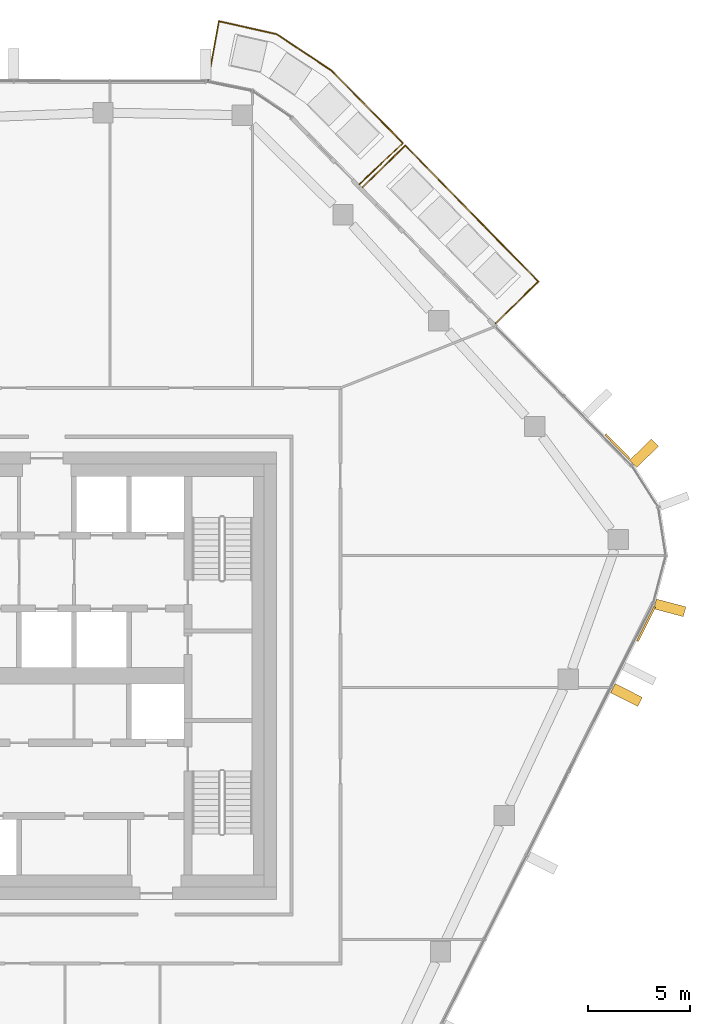
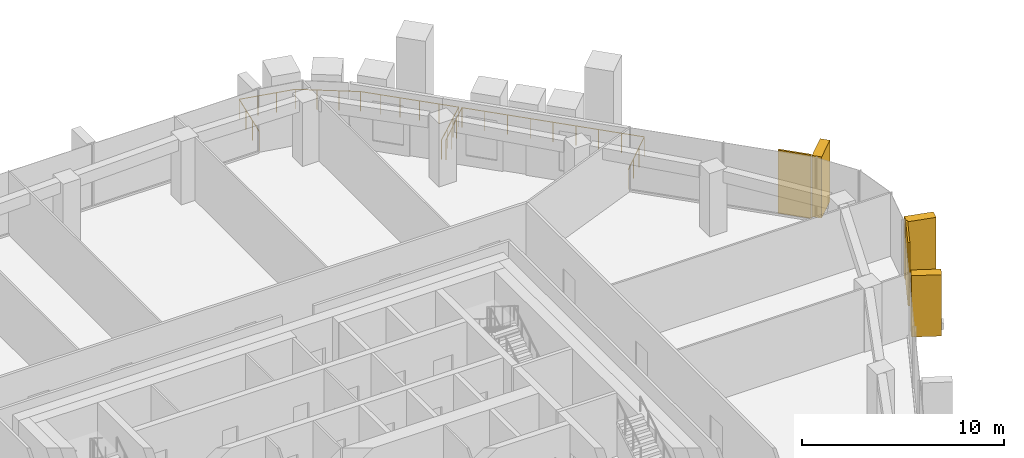
# One storey, part 23 of 23: 5 coverings, 2 railings, 3 elements without a shape of their own.
"""IFC4 building model written with IfcOpenShell, lengths in metres."""

from ifc_helpers import new_model, si_unit, direction, frame, origin, origin_2d, place, context, subcontext, project, spatial, rectangle, circle, extrude, material, layer, layer_set, material_profile, profile_set, type_object, element, aggregate, save


model = new_model("IFC4")

# Units and contexts
model_context = context("Model", 3, precision=1e-05, world=origin(), true_north=direction((0.0, 1.0)))
body_context = subcontext(model_context, "Body", "Model", "MODEL_VIEW")
ifc_project = project(units=[si_unit("LENGTHUNIT", "METRE"), si_unit("AREAUNIT", "SQUARE_METRE"), si_unit("VOLUMEUNIT", "CUBIC_METRE"), si_unit("PLANEANGLEUNIT", "RADIAN"), si_unit("MASSUNIT", "GRAM", prefix="KILO")], contexts=[model_context])

# Site, building, storey
site_placement = place(None, origin())
site = spatial("IfcSite", under=ifc_project, at=site_placement, CompositionType="ELEMENT")
building_placement = place(site_placement, origin())
building = spatial("IfcBuilding", under=site, at=building_placement, Name="Dongbaek Canopy Tower", CompositionType="ELEMENT")
storey_placement = place(building_placement, frame((0.0, 0.0, 315.199951171875)))
storey = spatial("IfcBuildingStorey", under=building, at=storey_placement, Name="L67", CompositionType="ELEMENT", Elevation=315.199951171875)

# Railings
ifc_material_1 = material(Name="Stainless steel", Category="steel")
railing_type = type_object("IfcRailingType", Name="Balcony balustrade 1200", PredefinedType="BALUSTRADE", material=ifc_material_1)
railing_1_placement = place(storey_placement, frame((24.77685546875, 17.32568359375, 0.0)))
element("IfcRailing", 1, at=railing_1_placement, inside=storey, type_object=railing_type, Name="Balcony guard L67 1", PredefinedType="BALUSTRADE", context=body_context, shape_type="SweptSolid", body=[
    extrude(circle(Radius=0.02392578125, at=origin_2d()), frame((0.0, 0.0, 1.17578125), z_axis=(0.714746485487, 0.699383629694, 0.0), x_axis=(-0.699383629694, 0.714746485487, 0.0)), (0.0, 0.0, 1.0), 2.93994140625),
    extrude(circle(Radius=0.02392578125, at=origin_2d()), frame((2.101318359375, 2.05615234375, 1.17578125), z_axis=(-0.699339380797, 0.714789780611, 0.0), x_axis=(-0.714789780611, -0.699339380797, 0.0)), (0.0, 0.0, 1.0), 9.3544921875),
    extrude(circle(Radius=0.02392578125, at=origin_2d()), frame((-4.440673828125, 8.74267578125, 1.17578125), z_axis=(-0.714787101051, -0.699342119546, 0.0), x_axis=(0.699342119546, -0.714787101051, 0.0)), (0.0, 0.0, 1.0), 2.940185546875),
    extrude(circle(Radius=0.02099609375, at=origin_2d()), origin(), (0.0, 0.0, 1.0), 1.15185546875),
    extrude(circle(Radius=0.02099609375, at=origin_2d()), frame((0.700439453125, 0.685302734375, 0.0)), (0.0, 0.0, 1.0), 1.15185546875),
    extrude(circle(Radius=0.02099609375, at=origin_2d()), frame((1.40087890625, 1.370849609375, 0.0)), (0.0, 0.0, 1.0), 1.15185546875),
    extrude(circle(Radius=0.02099609375, at=origin_2d()), frame((2.101318359375, 2.05615234375, 0.0)), (0.0, 0.0, 1.0), 1.15185546875),
    extrude(circle(Radius=0.02099609375, at=origin_2d()), frame((1.28369140625, 2.89208984375, 0.0)), (0.0, 0.0, 1.0), 1.15185546875),
    extrude(circle(Radius=0.02099609375, at=origin_2d()), frame((0.4658203125, 3.727783203125, 0.0)), (0.0, 0.0, 1.0), 1.15185546875),
    extrude(circle(Radius=0.02099609375, at=origin_2d()), frame((-0.35205078125, 4.5634765625, 0.0)), (0.0, 0.0, 1.0), 1.15185546875),
    extrude(circle(Radius=0.02099609375, at=origin_2d()), frame((-1.169677734375, 5.3994140625, 0.0)), (0.0, 0.0, 1.0), 1.15185546875),
    extrude(circle(Radius=0.02099609375, at=origin_2d()), frame((-1.9873046875, 6.2353515625, 0.0)), (0.0, 0.0, 1.0), 1.15185546875),
    extrude(circle(Radius=0.02099609375, at=origin_2d()), frame((-2.80517578125, 7.071044921875, 0.0)), (0.0, 0.0, 1.0), 1.15185546875),
    extrude(circle(Radius=0.02099609375, at=origin_2d()), frame((-3.623046875, 7.90673828125, 0.0)), (0.0, 0.0, 1.0), 1.15185546875),
    extrude(circle(Radius=0.02099609375, at=origin_2d()), frame((-4.440673828125, 8.74267578125, 0.0)), (0.0, 0.0, 1.0), 1.15185546875),
    extrude(circle(Radius=0.02099609375, at=origin_2d()), frame((-5.14111328125, 8.057373046875, 0.0)), (0.0, 0.0, 1.0), 1.15185546875),
    extrude(circle(Radius=0.02099609375, at=origin_2d()), frame((-5.841796875, 7.371826171875, 0.0)), (0.0, 0.0, 1.0), 1.15185546875),
    extrude(circle(Radius=0.02099609375, at=origin_2d()), frame((-6.542236328125, 6.6865234375, 0.0)), (0.0, 0.0, 1.0), 1.15185546875),
])
railing_2_placement = place(storey_placement, frame((18.080810546875, 24.16943359375, 0.0)))
element("IfcRailing", 2, at=railing_2_placement, inside=storey, type_object=railing_type, Name="Balcony guard L67 5", PredefinedType="BALUSTRADE", context=body_context, shape_type="SweptSolid", body=[
    extrude(circle(Radius=0.02392578125, at=origin_2d()), frame((0.0, 0.0, 1.17578125), z_axis=(0.728886991978, 0.68463402846, 0.0), x_axis=(-0.68463402846, 0.728886991978, 0.0)), (0.0, 0.0, 1.0), 2.9404296875),
    extrude(circle(Radius=0.02392578125, at=origin_2d()), frame((2.143310546875, 2.01318359375, 1.17578125), z_axis=(-0.701403600753, 0.71276432911, 0.0), x_axis=(-0.71276432911, -0.701403600753, 0.0)), (0.0, 0.0, 1.0), 5.028564453125),
    extrude(circle(Radius=0.02392578125, at=origin_2d()), frame((-1.3837890625, 5.597412109375, 1.17578125), z_axis=(-0.834016900205, 0.551738896737, 0.0), x_axis=(-0.551738896737, -0.834016900205, 0.0)), (0.0, 0.0, 1.0), 3.23828125),
    extrude(circle(Radius=0.02392578125, at=origin_2d()), frame((-4.08447265625, 7.384033203125, 1.17578125), z_axis=(-0.975762905235, 0.218830420112, 0.0), x_axis=(-0.218830420112, -0.975762905235, 0.0)), (0.0, 0.0, 1.0), 2.8974609375),
    extrude(circle(Radius=0.02392578125, at=origin_2d()), frame((-6.91162109375, 8.01806640625, 1.17578125), z_axis=(-0.179338414791, -0.983787442988, 0.0), x_axis=(0.983787442988, -0.179338414791, 0.0)), (0.0, 0.0, 1.0), 2.9404296875),
    extrude(circle(Radius=0.02099609375, at=origin_2d()), origin(), (0.0, 0.0, 1.0), 1.15185546875),
    extrude(circle(Radius=0.02099609375, at=origin_2d()), frame((0.71435546875, 0.671142578125, 0.0)), (0.0, 0.0, 1.0), 1.15185546875),
    extrude(circle(Radius=0.02099609375, at=origin_2d()), frame((1.428955078125, 1.342041015625, 0.0)), (0.0, 0.0, 1.0), 1.15185546875),
    extrude(circle(Radius=0.02099609375, at=origin_2d()), frame((2.143310546875, 2.01318359375, 0.0)), (0.0, 0.0, 1.0), 1.15185546875),
    extrude(circle(Radius=0.02099609375, at=origin_2d()), frame((1.43798828125, 2.72998046875, 0.0)), (0.0, 0.0, 1.0), 1.15185546875),
    extrude(circle(Radius=0.02099609375, at=origin_2d()), frame((0.732421875, 3.44677734375, 0.0)), (0.0, 0.0, 1.0), 1.15185546875),
    extrude(circle(Radius=0.02099609375, at=origin_2d()), frame((0.027099609375, 4.163818359375, 0.0)), (0.0, 0.0, 1.0), 1.15185546875),
    extrude(circle(Radius=0.02099609375, at=origin_2d()), frame((-0.678466796875, 4.880615234375, 0.0)), (0.0, 0.0, 1.0), 1.15185546875),
    extrude(circle(Radius=0.02099609375, at=origin_2d()), frame((-1.3837890625, 5.597412109375, 0.0)), (0.0, 0.0, 1.0), 1.15185546875),
    extrude(circle(Radius=0.02099609375, at=origin_2d()), frame((-2.283935546875, 6.19287109375, 0.0)), (0.0, 0.0, 1.0), 1.15185546875),
    extrude(circle(Radius=0.02099609375, at=origin_2d()), frame((-3.184326171875, 6.78857421875, 0.0)), (0.0, 0.0, 1.0), 1.15185546875),
    extrude(circle(Radius=0.02099609375, at=origin_2d()), frame((-4.08447265625, 7.384033203125, 0.0)), (0.0, 0.0, 1.0), 1.15185546875),
    extrude(circle(Radius=0.02099609375, at=origin_2d()), frame((-5.02685546875, 7.595458984375, 0.0)), (0.0, 0.0, 1.0), 1.15185546875),
    extrude(circle(Radius=0.02099609375, at=origin_2d()), frame((-5.96923828125, 7.806640625, 0.0)), (0.0, 0.0, 1.0), 1.15185546875),
    extrude(circle(Radius=0.02099609375, at=origin_2d()), frame((-6.91162109375, 8.01806640625, 0.0)), (0.0, 0.0, 1.0), 1.15185546875),
    extrude(circle(Radius=0.02099609375, at=origin_2d()), frame((-7.08740234375, 7.0537109375, 0.0)), (0.0, 0.0, 1.0), 1.15185546875),
    extrude(circle(Radius=0.02099609375, at=origin_2d()), frame((-7.26318359375, 6.089599609375, 0.0)), (0.0, 0.0, 1.0), 1.15185546875),
    extrude(circle(Radius=0.02099609375, at=origin_2d()), frame((-7.43896484375, 5.125244140625, 0.0)), (0.0, 0.0, 1.0), 1.15185546875),
])

# Curtain wall, covering
ifc_material_2 = material(Name="Aluminium 6063-T6 pale anodised", Category="aluminium")
ifc_layer_1 = layer(ifc_material_2, 0.199951171875)
ifc_layer_set_1 = layer_set([ifc_layer_1], Name="CW-1 unitised tower curtain wall")
curtain_wall_type = type_object("IfcCurtainWallType", Name="CW-1 unitised tower curtain wall", PredefinedType="NOTDEFINED", material=ifc_layer_set_1)
curtain_wall_1_placement = place(storey_placement, origin())
curtain_wall_1 = element("IfcCurtainWall", 3, at=curtain_wall_1_placement, inside=storey, type_object=curtain_wall_type, Name="CW-1 curtain wall F5.1", PredefinedType="NOTDEFINED")
ifc_material_3 = material(Name="Perforated aluminium 6063-T6 pale metal screen", Category="aluminium")
ifc_layer_2 = layer(ifc_material_3, 0.10009765625)
ifc_layer_set_2 = layer_set([ifc_layer_2], Name="Facet screen FS1 100 pale metal")
covering_type_1 = type_object("IfcCoveringType", Name="Facet screen FS1 100 pale metal", PredefinedType="CLADDING", material=ifc_layer_set_2)
covering_1_placement = place(storey_placement, frame((32.184326171875, 2.538330078125, 0.0), z_axis=(0.0, 0.0, 1.0), x_axis=(0.448598489649, 0.89373340269, 0.0)))
covering_1 = element("IfcCovering", 4, at=covering_1_placement, type_object=covering_type_1, Name="Facet screen L67 F5", PredefinedType="CLADDING", context=body_context, shape_type="SweptSolid", body=[
    extrude(rectangle(XDim=1.888916015625, YDim=0.10009765625, at=origin_2d()), origin(), (0.0, 0.0, 1.0), 3.820068359375),
])

curtain_wall_2_placement = place(storey_placement, origin())
curtain_wall_2 = element("IfcCurtainWall", 5, at=curtain_wall_2_placement, inside=storey, type_object=curtain_wall_type, Name="CW-1 curtain wall F0.1", PredefinedType="NOTDEFINED")
covering_2_placement = place(storey_placement, frame((30.778076171875, 11.2578125, 0.0), z_axis=(0.0, 0.0, 1.0), x_axis=(-0.699349031354, 0.714780338527, 0.0)))
covering_2 = element("IfcCovering", 6, at=covering_2_placement, type_object=covering_type_1, Name="Facet screen L67 F0", PredefinedType="CLADDING", context=body_context, shape_type="SweptSolid", body=[
    extrude(rectangle(XDim=1.700439453125, YDim=0.10009765625, at=origin_2d()), origin(), (0.0, 0.0, 1.0), 3.820068359375),
])

curtain_wall_3_placement = place(storey_placement, origin())
curtain_wall_3 = element("IfcCurtainWall", 7, at=curtain_wall_3_placement, inside=storey, type_object=curtain_wall_type, Name="CW-1 curtain wall K0.1", PredefinedType="NOTDEFINED")
ifc_material_4 = material(Name="Aluminium 6063-T6 pale metal fin", Category="aluminium")
ifc_material_profile = material_profile(ifc_material_4, rectangle(XDim=1.5, YDim=0.5, at=origin_2d()), Name="Fin FN1 500 x 1500 pale metal")
ifc_profile_set = profile_set([ifc_material_profile], Name="Aluminium 6063-T6 pale metal fin")
covering_type_2 = type_object("IfcCoveringType", Name="Fin FN1 500 x 1500 pale metal", PredefinedType="CLADDING", material=ifc_profile_set)
covering_3_placement = place(storey_placement, frame((33.35107421875, 3.333984375, 0.1201171875), z_axis=(0.0, 0.0, 1.0), x_axis=(0.966753373375, -0.255710608049, 0.0)))
covering_3 = element("IfcCovering", 8, at=covering_3_placement, type_object=covering_type_2, Name="Fin K0.1.1", PredefinedType="CLADDING", context=body_context, shape_type="SweptSolid", body=[
    extrude(rectangle(XDim=1.5, YDim=0.5, at=origin_2d()), origin(), (0.0, 0.0, 1.0), 3.699951171875),
])
aggregate(curtain_wall_3, [covering_3])

# Covering
covering_4_placement = place(storey_placement, frame((32.07861328125, 10.935302734375, 0.1201171875), z_axis=(0.0, 0.0, 1.0), x_axis=(0.714780141035, 0.699349233203, 0.0)))
covering_4 = element("IfcCovering", 9, at=covering_4_placement, type_object=covering_type_2, Name="Fin F0.1.1", PredefinedType="CLADDING", context=body_context, shape_type="SweptSolid", body=[
    extrude(rectangle(XDim=1.5, YDim=0.5, at=origin_2d()), origin(), (0.0, 0.0, 1.0), 3.699951171875),
])

aggregate(curtain_wall_2, [covering_4, covering_2])

covering_5_placement = place(storey_placement, frame((31.21875, -0.95458984375, 0.1201171875), z_axis=(0.0, 0.0, 1.0), x_axis=(0.893733414129, -0.448598466859, 0.0)))
covering_5 = element("IfcCovering", 10, at=covering_5_placement, type_object=covering_type_2, Name="Fin F5.1.7", PredefinedType="CLADDING", context=body_context, shape_type="SweptSolid", body=[
    extrude(rectangle(XDim=1.5, YDim=0.5, at=origin_2d()), origin(), (0.0, 0.0, 1.0), 3.699951171875),
])

aggregate(curtain_wall_1, [covering_5, covering_1])

save(model, "model.ifc")
